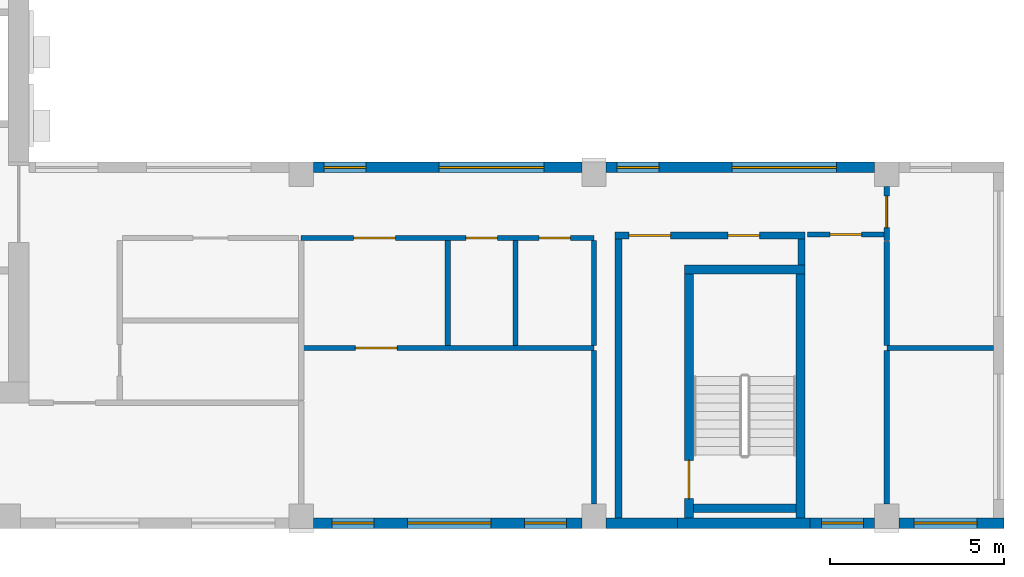
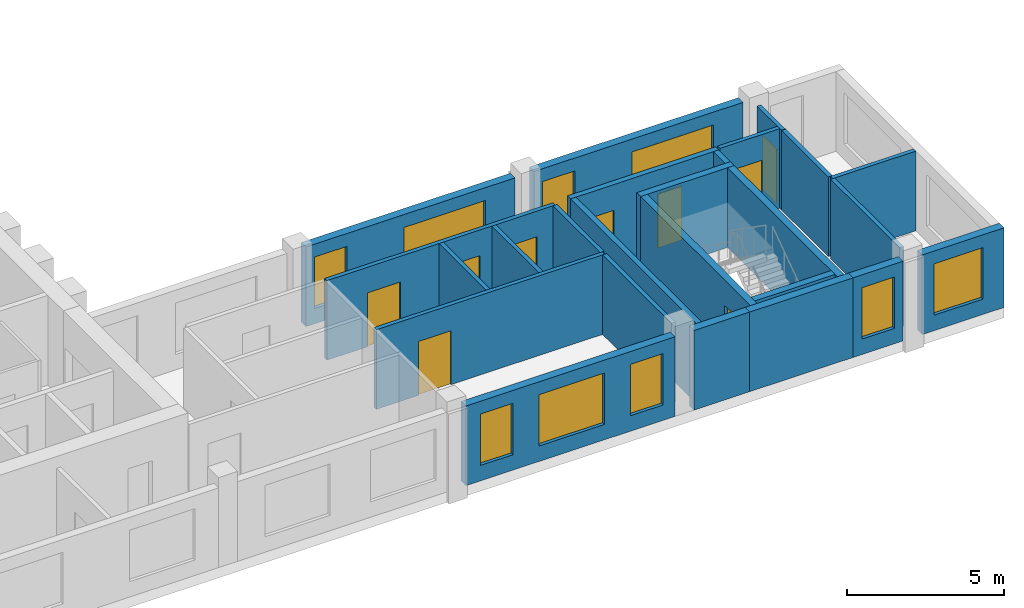
# One storey, part 4 of 9: 25 walls, 9 doors, 9 windows, 18 openings.
"""IFC4 building model written with IfcOpenShell, lengths in metres."""

from ifc_helpers import new_model, si_unit, direction, frame, frame_2d, origin, place, context, subcontext, project, spatial, rectangle, extrude, source, transform, mapped, material, layer, layer_set, type_object, element, fill, save


model = new_model("IFC4")

# Units and contexts
model_context = context("Model", 3, precision=1e-05, world=origin(), true_north=direction((0.0, 1.0)))
body_context = subcontext(model_context, "Body", "Model", "MODEL_VIEW")
ifc_project = project(units=[si_unit("LENGTHUNIT", "METRE"), si_unit("AREAUNIT", "SQUARE_METRE"), si_unit("VOLUMEUNIT", "CUBIC_METRE"), si_unit("PLANEANGLEUNIT", "RADIAN"), si_unit("MASSUNIT", "GRAM", prefix="KILO")], contexts=[model_context])

# Site, building, storey
site_placement = place(None, origin())
site = spatial("IfcSite", under=ifc_project, at=site_placement, CompositionType="ELEMENT")
building_placement = place(site_placement, origin())
building = spatial("IfcBuilding", under=site, at=building_placement, Name="Aurelian Terraces", CompositionType="ELEMENT")
storey_placement = place(building_placement, frame((0.0, 0.0, 323.0)))
storey = spatial("IfcBuildingStorey", under=building, at=storey_placement, Name="L75", CompositionType="ELEMENT", Elevation=323.0)

# Wall, openings, windows
ifc_material_1 = material(Name="Terracotta rainscreen cladding", Category="masonry")
ifc_layer_1 = layer(ifc_material_1, 0.3)
ifc_layer_set_1 = layer_set([ifc_layer_1], Name="EW-300")
wall_type_1 = type_object("IfcWallType", Name="EW-300", PredefinedType="STANDARD", material=ifc_layer_set_1)
shared_shape_1 = source(origin(), body_context, "Body", "SweptSolid", [
    extrude(rectangle(XDim=7.7, YDim=0.3, at=frame_2d((3.85, 0.0))), origin(), (0.0, 0.0, 1.0), 3.1),
])
wall_1_placement = place(storey_placement, frame((29.75, 0.15, 0.0), z_axis=(0.0, 0.0, 1.0), x_axis=(1.0, 0.0, 0.0)))
wall_1 = element("IfcWall", 1, at=wall_1_placement, inside=storey, type_object=wall_type_1, Name="External wall L75 F01.4", PredefinedType="STANDARD", context=body_context, shape_type="MappedRepresentation", body=[
    mapped(shared_shape_1, transform((0.0, 0.0, 0.0), scale=1.0)),
])
shared_shape_2 = source(origin(), body_context, "Body", "SweptSolid", [
    extrude(rectangle(XDim=1.2, YDim=2.0, at=frame_2d((0.6, 1.0))), frame((0.0, 0.16, 0.0), z_axis=(0.0, -1.0, 0.0), x_axis=(1.0, 0.0, 0.0)), (0.0, 0.0, 1.0), 0.32),
])
opening_1_placement = place(wall_1_placement, frame((0.5375, 0.0, 0.6)))
opening_1 = element("IfcOpeningElement", 2, at=opening_1_placement, cuts=wall_1, Name="Opening W1220", PredefinedType="OPENING", context=body_context, shape_type="MappedRepresentation", body=[
    mapped(shared_shape_2, transform((0.0, 0.0, 0.0), scale=1.0)),
])
opening_2_placement = place(wall_1_placement, frame((6.0625, 0.0, 0.6)))
opening_2 = element("IfcOpeningElement", 3, at=opening_2_placement, cuts=wall_1, Name="Opening W1220", PredefinedType="OPENING", context=body_context, shape_type="MappedRepresentation", body=[
    mapped(shared_shape_2, transform((0.0, 0.0, 0.0), scale=1.0)),
])
shared_shape_3 = source(origin(), body_context, "Body", "SweptSolid", [
    extrude(rectangle(XDim=2.4, YDim=2.0, at=frame_2d((1.2, 1.0))), frame((0.0, 0.16, 0.0), z_axis=(0.0, -1.0, 0.0), x_axis=(1.0, 0.0, 0.0)), (0.0, 0.0, 1.0), 0.32),
])
opening_3_placement = place(wall_1_placement, frame((2.7, 0.0, 0.6)))
opening_3 = element("IfcOpeningElement", 4, at=opening_3_placement, cuts=wall_1, Name="Opening W2420", PredefinedType="OPENING", context=body_context, shape_type="MappedRepresentation", body=[
    mapped(shared_shape_3, transform((0.0, 0.0, 0.0), scale=1.0)),
])
ifc_material_2 = material(Name="Clear glazing", Category="glass")
window_type_1 = type_object("IfcWindowType", Name="W-1200x2000", PartitioningType="SINGLE_PANEL", PredefinedType="WINDOW", material=ifc_material_2)
shared_shape_4 = source(origin(), body_context, "Body", "SweptSolid", [
    extrude(rectangle(XDim=1.2, YDim=2.0, at=frame_2d((0.6, 1.0))), frame((0.0, 0.03, 0.0), z_axis=(0.0, -1.0, 0.0), x_axis=(1.0, 0.0, 0.0)), (0.0, 0.0, 1.0), 0.06),
])
window_1_placement = place(opening_1_placement, origin())
window_1 = element("IfcWindow", 5, at=window_1_placement, inside=storey, type_object=window_type_1, Name="Window L75 L75-F01-04-0", OverallHeight=2.0, OverallWidth=1.2, PartitioningType="SINGLE_PANEL", PredefinedType="WINDOW", context=body_context, shape_type="MappedRepresentation", body=[
    mapped(shared_shape_4, transform((0.0, 0.0, 0.0), scale=1.0)),
])
fill(opening_1, window_1)
window_2_placement = place(opening_2_placement, origin())
window_2 = element("IfcWindow", 6, at=window_2_placement, inside=storey, type_object=window_type_1, Name="Window L75 L75-F01-04-1", OverallHeight=2.0, OverallWidth=1.2, PartitioningType="SINGLE_PANEL", PredefinedType="WINDOW", context=body_context, shape_type="MappedRepresentation", body=[
    mapped(shared_shape_4, transform((0.0, 0.0, 0.0), scale=1.0)),
])
fill(opening_2, window_2)
window_type_2 = type_object("IfcWindowType", Name="W-2400x2000", PartitioningType="SINGLE_PANEL", PredefinedType="WINDOW", material=ifc_material_2)
shared_shape_5 = source(origin(), body_context, "Body", "SweptSolid", [
    extrude(rectangle(XDim=2.4, YDim=2.0, at=frame_2d((1.2, 1.0))), frame((0.0, 0.03, 0.0), z_axis=(0.0, -1.0, 0.0), x_axis=(1.0, 0.0, 0.0)), (0.0, 0.0, 1.0), 0.06),
])
window_3_placement = place(opening_3_placement, origin())
window_3 = element("IfcWindow", 7, at=window_3_placement, inside=storey, type_object=window_type_2, Name="Window L75 L75-F01-04-G0-21", OverallHeight=2.0, OverallWidth=2.4, PartitioningType="SINGLE_PANEL", PredefinedType="WINDOW", context=body_context, shape_type="MappedRepresentation", body=[
    mapped(shared_shape_5, transform((0.0, 0.0, 0.0), scale=1.0)),
])
fill(opening_3, window_3)

wall_2_placement = place(storey_placement, frame((45.85, 10.35, 0.0), z_axis=(0.0, 0.0, 1.0), x_axis=(-1.0, 0.0, 0.0)))
wall_2 = element("IfcWall", 8, at=wall_2_placement, inside=storey, type_object=wall_type_1, Name="External wall L75 F03.8", PredefinedType="STANDARD", context=body_context, shape_type="MappedRepresentation", body=[
    mapped(shared_shape_1, transform((0.0, 0.0, 0.0), scale=1.0)),
])
shared_shape_6 = source(origin(), body_context, "Body", "SweptSolid", [
    extrude(rectangle(XDim=3.0, YDim=2.0, at=frame_2d((1.5, 1.0))), frame((0.0, 0.16, 0.0), z_axis=(0.0, -1.0, 0.0), x_axis=(1.0, 0.0, 0.0)), (0.0, 0.0, 1.0), 0.32),
])
opening_4_placement = place(wall_2_placement, frame((1.09, 0.0, 0.6)))
opening_4 = element("IfcOpeningElement", 9, at=opening_4_placement, cuts=wall_2, Name="Opening W3020", PredefinedType="OPENING", context=body_context, shape_type="MappedRepresentation", body=[
    mapped(shared_shape_6, transform((0.0, 0.0, 0.0), scale=1.0)),
])
opening_5_placement = place(wall_2_placement, frame((6.19, 0.0, 0.6)))
opening_5 = element("IfcOpeningElement", 10, at=opening_5_placement, cuts=wall_2, Name="Opening W1220", PredefinedType="OPENING", context=body_context, shape_type="MappedRepresentation", body=[
    mapped(shared_shape_2, transform((0.0, 0.0, 0.0), scale=1.0)),
])
window_type_3 = type_object("IfcWindowType", Name="W-3000x2000", PartitioningType="SINGLE_PANEL", PredefinedType="WINDOW", material=ifc_material_2)
shared_shape_7 = source(origin(), body_context, "Body", "SweptSolid", [
    extrude(rectangle(XDim=3.0, YDim=2.0, at=frame_2d((1.5, 1.0))), frame((0.0, 0.03, 0.0), z_axis=(0.0, -1.0, 0.0), x_axis=(1.0, 0.0, 0.0)), (0.0, 0.0, 1.0), 0.06),
])
window_4_placement = place(opening_4_placement, origin())
window_4 = element("IfcWindow", 11, at=window_4_placement, inside=storey, type_object=window_type_3, Name="Window L75 L75-F03-08-1", OverallHeight=2.0, OverallWidth=3.0, PartitioningType="SINGLE_PANEL", PredefinedType="WINDOW", context=body_context, shape_type="MappedRepresentation", body=[
    mapped(shared_shape_7, transform((0.0, 0.0, 0.0), scale=1.0)),
])
fill(opening_4, window_4)
window_5_placement = place(opening_5_placement, origin())
window_5 = element("IfcWindow", 12, at=window_5_placement, inside=storey, type_object=window_type_1, Name="Window L75 L75-F03-08-2", OverallHeight=2.0, OverallWidth=1.2, PartitioningType="SINGLE_PANEL", PredefinedType="WINDOW", context=body_context, shape_type="MappedRepresentation", body=[
    mapped(shared_shape_4, transform((0.0, 0.0, 0.0), scale=1.0)),
])
fill(opening_5, window_5)

wall_3_placement = place(storey_placement, frame((37.45, 10.35, 0.0), z_axis=(0.0, 0.0, 1.0), x_axis=(-1.0, 0.0, 0.0)))
wall_3 = element("IfcWall", 13, at=wall_3_placement, inside=storey, type_object=wall_type_1, Name="External wall L75 F03.8", PredefinedType="STANDARD", context=body_context, shape_type="MappedRepresentation", body=[
    mapped(shared_shape_1, transform((0.0, 0.0, 0.0), scale=1.0)),
])
opening_6_placement = place(wall_3_placement, frame((1.09, 0.0, 0.6)))
opening_6 = element("IfcOpeningElement", 14, at=opening_6_placement, cuts=wall_3, Name="Opening W3020", PredefinedType="OPENING", context=body_context, shape_type="MappedRepresentation", body=[
    mapped(shared_shape_6, transform((0.0, 0.0, 0.0), scale=1.0)),
])
opening_7_placement = place(wall_3_placement, frame((6.19, 0.0, 0.6)))
opening_7 = element("IfcOpeningElement", 15, at=opening_7_placement, cuts=wall_3, Name="Opening W1220", PredefinedType="OPENING", context=body_context, shape_type="MappedRepresentation", body=[
    mapped(shared_shape_2, transform((0.0, 0.0, 0.0), scale=1.0)),
])
window_6_placement = place(opening_6_placement, origin())
window_6 = element("IfcWindow", 16, at=window_6_placement, inside=storey, type_object=window_type_3, Name="Window L75 L75-F03-08-3", OverallHeight=2.0, OverallWidth=3.0, PartitioningType="SINGLE_PANEL", PredefinedType="WINDOW", context=body_context, shape_type="MappedRepresentation", body=[
    mapped(shared_shape_7, transform((0.0, 0.0, 0.0), scale=1.0)),
])
fill(opening_6, window_6)
window_7_placement = place(opening_7_placement, origin())
window_7 = element("IfcWindow", 17, at=window_7_placement, inside=storey, type_object=window_type_1, Name="Window L75 L75-F03-08-4", OverallHeight=2.0, OverallWidth=1.2, PartitioningType="SINGLE_PANEL", PredefinedType="WINDOW", context=body_context, shape_type="MappedRepresentation", body=[
    mapped(shared_shape_4, transform((0.0, 0.0, 0.0), scale=1.0)),
])
fill(opening_7, window_7)

# Wall, opening, window
shared_shape_8 = source(origin(), body_context, "Body", "SweptSolid", [
    extrude(rectangle(XDim=3.01, YDim=0.3, at=frame_2d((1.505, 0.0))), origin(), (0.0, 0.0, 1.0), 3.1),
])
wall_4_placement = place(storey_placement, frame((46.55, 0.15, 0.0), z_axis=(0.0, 0.0, 1.0), x_axis=(1.0, 0.0, 0.0)))
wall_4 = element("IfcWall", 18, at=wall_4_placement, inside=storey, type_object=wall_type_1, Name="External wall L75 F01.6", PredefinedType="STANDARD", context=body_context, shape_type="MappedRepresentation", body=[
    mapped(shared_shape_8, transform((0.0, 0.0, 0.0), scale=1.0)),
])
shared_shape_9 = source(origin(), body_context, "Body", "SweptSolid", [
    extrude(rectangle(XDim=1.8, YDim=2.0, at=frame_2d((0.9, 1.0))), frame((0.0, 0.16, 0.0), z_axis=(0.0, -1.0, 0.0), x_axis=(1.0, 0.0, 0.0)), (0.0, 0.0, 1.0), 0.32),
])
opening_8_placement = place(wall_4_placement, frame((0.43, 0.0, 0.6)))
opening_8 = element("IfcOpeningElement", 19, at=opening_8_placement, cuts=wall_4, Name="Opening W1820", PredefinedType="OPENING", context=body_context, shape_type="MappedRepresentation", body=[
    mapped(shared_shape_9, transform((0.0, 0.0, 0.0), scale=1.0)),
])
window_type_4 = type_object("IfcWindowType", Name="W-1800x2000", PartitioningType="SINGLE_PANEL", PredefinedType="WINDOW", material=ifc_material_2)
shared_shape_10 = source(origin(), body_context, "Body", "SweptSolid", [
    extrude(rectangle(XDim=1.8, YDim=2.0, at=frame_2d((0.9, 1.0))), frame((0.0, 0.03, 0.0), z_axis=(0.0, -1.0, 0.0), x_axis=(1.0, 0.0, 0.0)), (0.0, 0.0, 1.0), 0.06),
])
window_8_placement = place(opening_8_placement, origin())
window_8 = element("IfcWindow", 20, at=window_8_placement, inside=storey, type_object=window_type_4, Name="Window L75 L75-F01-06-0", OverallHeight=2.0, OverallWidth=1.8, PartitioningType="SINGLE_PANEL", PredefinedType="WINDOW", context=body_context, shape_type="MappedRepresentation", body=[
    mapped(shared_shape_10, transform((0.0, 0.0, 0.0), scale=1.0)),
])
fill(opening_8, window_8)

# Walls
shared_shape_11 = source(origin(), body_context, "Body", "SweptSolid", [
    extrude(rectangle(XDim=2.05, YDim=0.3, at=frame_2d((1.025, 0.0))), origin(), (0.0, 0.0, 1.0), 3.1),
])
wall_5_placement = place(storey_placement, frame((38.15, 0.15, 0.0), z_axis=(0.0, 0.0, 1.0), x_axis=(1.0, 0.0, 0.0)))
element("IfcWall", 21, at=wall_5_placement, inside=storey, type_object=wall_type_1, Name="External wall L75 F01.5", PredefinedType="STANDARD", context=body_context, shape_type="MappedRepresentation", body=[
    mapped(shared_shape_11, transform((0.0, 0.0, 0.0), scale=1.0)),
])
ifc_material_3 = material(Name="Concrete fc' 40 MPa", Category="concrete")
ifc_layer_2 = layer(ifc_material_3, 0.3)
ifc_layer_set_2 = layer_set([ifc_layer_2], Name="STAIR BAY WALL 300")
wall_type_2 = type_object("IfcWallType", Name="STAIR BAY WALL 300", PredefinedType="SOLIDWALL", material=ifc_layer_set_2)
shared_shape_12 = source(origin(), body_context, "Body", "SweptSolid", [
    extrude(rectangle(XDim=3.8, YDim=0.3, at=frame_2d((1.9, 0.0))), origin(), (0.0, 0.0, 1.0), 3.1),
])
wall_6_placement = place(storey_placement, frame((40.2, 0.15, 0.0), z_axis=(0.0, 0.0, 1.0), x_axis=(1.0, 0.0, 0.0)))
element("IfcWall", 22, at=wall_6_placement, inside=storey, type_object=wall_type_2, Name="Stair bay wall L75 F01.5", PredefinedType="SOLIDWALL", context=body_context, shape_type="MappedRepresentation", body=[
    mapped(shared_shape_12, transform((0.0, 0.0, 0.0), scale=1.0)),
])

# Wall, opening, window
shared_shape_13 = source(origin(), body_context, "Body", "SweptSolid", [
    extrude(rectangle(XDim=1.85, YDim=0.3, at=frame_2d((0.925, 0.0))), origin(), (0.0, 0.0, 1.0), 3.1),
])
wall_7_placement = place(storey_placement, frame((44.0, 0.15, 0.0), z_axis=(0.0, 0.0, 1.0), x_axis=(1.0, 0.0, 0.0)))
wall_7 = element("IfcWall", 23, at=wall_7_placement, inside=storey, type_object=wall_type_1, Name="External wall L75 F01.5", PredefinedType="STANDARD", context=body_context, shape_type="MappedRepresentation", body=[
    mapped(shared_shape_13, transform((0.0, 0.0, 0.0), scale=1.0)),
])
opening_9_placement = place(wall_7_placement, frame((0.325, 0.0, 0.6)))
opening_9 = element("IfcOpeningElement", 24, at=opening_9_placement, cuts=wall_7, Name="Opening W1220", PredefinedType="OPENING", context=body_context, shape_type="MappedRepresentation", body=[
    mapped(shared_shape_2, transform((0.0, 0.0, 0.0), scale=1.0)),
])
window_9_placement = place(opening_9_placement, origin())
window_9 = element("IfcWindow", 25, at=window_9_placement, inside=storey, type_object=window_type_1, Name="Window L75 L75-F01-05-P2", OverallHeight=2.0, OverallWidth=1.2, PartitioningType="SINGLE_PANEL", PredefinedType="WINDOW", context=body_context, shape_type="MappedRepresentation", body=[
    mapped(shared_shape_4, transform((0.0, 0.0, 0.0), scale=1.0)),
])
fill(opening_9, window_9)

# Wall, opening, door
ifc_layer_3 = layer(ifc_material_3, 0.25)
ifc_layer_set_3 = layer_set([ifc_layer_3], Name="Stair enclosure wall 250")
wall_type_3 = type_object("IfcWallType", Name="Stair enclosure wall 250", PredefinedType="SOLIDWALL", material=ifc_layer_set_3)
shared_shape_14 = source(origin(), body_context, "Body", "SweptSolid", [
    extrude(rectangle(XDim=7.0, YDim=0.25, at=frame_2d((3.5, 0.0))), origin(), (0.0, 0.0, 1.0), 3.1),
])
wall_8_placement = place(storey_placement, frame((40.525, 0.3, 0.0), z_axis=(0.0, 0.0, 1.0), x_axis=(0.0, 1.0, 0.0)))
wall_8 = element("IfcWall", 26, at=wall_8_placement, inside=storey, type_object=wall_type_3, Name="L75 core wall ST-S2-W", PredefinedType="SOLIDWALL", context=body_context, shape_type="MappedRepresentation", body=[
    mapped(shared_shape_14, transform((0.0, 0.0, 0.0), scale=1.0)),
])
shared_shape_15 = source(origin(), body_context, "Body", "SweptSolid", [
    extrude(rectangle(XDim=1.1, YDim=2.1, at=frame_2d((0.55, 1.05))), frame((0.0, 0.135, 0.0), z_axis=(0.0, -1.0, 0.0), x_axis=(1.0, 0.0, 0.0)), (0.0, 0.0, 1.0), 0.27),
])
opening_10_placement = place(wall_8_placement, frame((0.55, 0.0, 0.0)))
opening_10 = element("IfcOpeningElement", 27, at=opening_10_placement, cuts=wall_8, Name="Opening 67824", PredefinedType="OPENING", context=body_context, shape_type="MappedRepresentation", body=[
    mapped(shared_shape_15, transform((0.0, 0.0, 0.0), scale=1.0)),
])
ifc_material_4 = material(Name="Steel door leaf", Category="steel")
door_type_1 = type_object("IfcDoorType", Name="Core fire door 1100x2100", OperationType="SINGLE_SWING_LEFT", PredefinedType="DOOR", material=ifc_material_4)
shared_shape_16 = source(origin(), body_context, "Body", "SweptSolid", [
    extrude(rectangle(XDim=1.1, YDim=2.1, at=frame_2d((0.55, 1.05))), frame((0.0, 0.025, 0.0), z_axis=(0.0, -1.0, 0.0), x_axis=(1.0, 0.0, 0.0)), (0.0, 0.0, 1.0), 0.05),
])
door_1_placement = place(opening_10_placement, origin())
door_1 = element("IfcDoor", 28, at=door_1_placement, inside=storey, type_object=door_type_1, Name="Stair door 67824", OperationType="SINGLE_SWING_LEFT", OverallHeight=2.1, OverallWidth=1.1, PredefinedType="DOOR", context=body_context, shape_type="MappedRepresentation", body=[
    mapped(shared_shape_16, transform((0.0, 0.0, 0.0), scale=1.0)),
])
fill(opening_10, door_1)

# Walls
wall_9_placement = place(storey_placement, frame((43.725, 0.3, 0.0), z_axis=(0.0, 0.0, 1.0), x_axis=(0.0, 1.0, 0.0)))
element("IfcWall", 29, at=wall_9_placement, inside=storey, type_object=wall_type_3, Name="L75 core wall ST-S2-E", PredefinedType="SOLIDWALL", context=body_context, shape_type="MappedRepresentation", body=[
    mapped(shared_shape_14, transform((0.0, 0.0, 0.0), scale=1.0)),
])
shared_shape_17 = source(origin(), body_context, "Body", "SweptSolid", [
    extrude(rectangle(XDim=3.45, YDim=0.25, at=frame_2d((1.725, 0.0))), origin(), (0.0, 0.0, 1.0), 3.1),
])
wall_10_placement = place(storey_placement, frame((40.4, 7.425, 0.0), z_axis=(0.0, 0.0, 1.0), x_axis=(1.0, 0.0, 0.0)))
element("IfcWall", 30, at=wall_10_placement, inside=storey, type_object=wall_type_3, Name="L75 core wall ST-S2-N", PredefinedType="SOLIDWALL", context=body_context, shape_type="MappedRepresentation", body=[
    mapped(shared_shape_17, transform((0.0, 0.0, 0.0), scale=1.0)),
])
ifc_material_5 = material(Name="Gypsum board on steel studs", Category="steel")
ifc_layer_4 = layer(ifc_material_5, 0.2)
ifc_layer_set_4 = layer_set([ifc_layer_4], Name="Core partition 200")
wall_type_4 = type_object("IfcWallType", Name="Core partition 200", PredefinedType="PARTITIONING", material=ifc_layer_set_4)
shared_shape_18 = source(origin(), body_context, "Body", "SweptSolid", [
    extrude(rectangle(XDim=8.0, YDim=0.2, at=frame_2d((4.0, 0.0))), origin(), (0.0, 0.0, 1.0), 3.1),
])
wall_11_placement = place(storey_placement, frame((38.5, 0.3, 0.0), z_axis=(0.0, 0.0, 1.0), x_axis=(0.0, 1.0, 0.0)))
element("IfcWall", 31, at=wall_11_placement, inside=storey, type_object=wall_type_4, Name="L75 core wall ST-S2-VW", PredefinedType="PARTITIONING", context=body_context, shape_type="MappedRepresentation", body=[
    mapped(shared_shape_18, transform((0.0, 0.0, 0.0), scale=1.0)),
])

# Wall, openings, doors
shared_shape_19 = source(origin(), body_context, "Body", "SweptSolid", [
    extrude(rectangle(XDim=5.45, YDim=0.2, at=frame_2d((2.725, 0.0))), origin(), (0.0, 0.0, 1.0), 3.1),
])
wall_12_placement = place(storey_placement, frame((38.4, 8.4, 0.0), z_axis=(0.0, 0.0, 1.0), x_axis=(1.0, 0.0, 0.0)))
wall_12 = element("IfcWall", 32, at=wall_12_placement, inside=storey, type_object=wall_type_4, Name="L75 core wall ST-S2-BN", PredefinedType="PARTITIONING", context=body_context, shape_type="MappedRepresentation", body=[
    mapped(shared_shape_19, transform((0.0, 0.0, 0.0), scale=1.0)),
])
shared_shape_20 = source(origin(), body_context, "Body", "SweptSolid", [
    extrude(rectangle(XDim=1.2, YDim=2.1, at=frame_2d((0.6, 1.05))), frame((0.0, 0.11, 0.0), z_axis=(0.0, -1.0, 0.0), x_axis=(1.0, 0.0, 0.0)), (0.0, 0.0, 1.0), 0.22),
])
opening_11_placement = place(wall_12_placement, frame((0.4, 0.0, 0.0)))
opening_11 = element("IfcOpeningElement", 33, at=opening_11_placement, cuts=wall_12, Name="Opening 67825", PredefinedType="OPENING", context=body_context, shape_type="MappedRepresentation", body=[
    mapped(shared_shape_20, transform((0.0, 0.0, 0.0), scale=1.0)),
])
shared_shape_21 = source(origin(), body_context, "Body", "SweptSolid", [
    extrude(rectangle(XDim=0.9, YDim=2.1, at=frame_2d((0.45, 1.05))), frame((0.0, 0.11, 0.0), z_axis=(0.0, -1.0, 0.0), x_axis=(1.0, 0.0, 0.0)), (0.0, 0.0, 1.0), 0.22),
])
opening_12_placement = place(wall_12_placement, frame((3.25, 0.0, 0.0)))
opening_12 = element("IfcOpeningElement", 34, at=opening_12_placement, cuts=wall_12, Name="Opening 67826", PredefinedType="OPENING", context=body_context, shape_type="MappedRepresentation", body=[
    mapped(shared_shape_21, transform((0.0, 0.0, 0.0), scale=1.0)),
])
door_type_2 = type_object("IfcDoorType", Name="Core riser door 900x2100", OperationType="SINGLE_SWING_LEFT", PredefinedType="DOOR", material=ifc_material_4)
shared_shape_22 = source(origin(), body_context, "Body", "SweptSolid", [
    extrude(rectangle(XDim=0.9, YDim=2.1, at=frame_2d((0.45, 1.05))), frame((0.0, 0.025, 0.0), z_axis=(0.0, -1.0, 0.0), x_axis=(1.0, 0.0, 0.0)), (0.0, 0.0, 1.0), 0.05),
])
door_2_placement = place(opening_12_placement, origin())
door_2 = element("IfcDoor", 35, at=door_2_placement, inside=storey, type_object=door_type_2, Name="Riser door 67826", OperationType="SINGLE_SWING_LEFT", OverallHeight=2.1, OverallWidth=0.9, PredefinedType="DOOR", context=body_context, shape_type="MappedRepresentation", body=[
    mapped(shared_shape_22, transform((0.0, 0.0, 0.0), scale=1.0)),
])
fill(opening_12, door_2)
door_type_3 = type_object("IfcDoorType", Name="Core fire door 1200x2100 right", OperationType="SINGLE_SWING_RIGHT", PredefinedType="DOOR", material=ifc_material_4)
shared_shape_23 = source(origin(), body_context, "Body", "SweptSolid", [
    extrude(rectangle(XDim=1.2, YDim=2.1, at=frame_2d((0.6, 1.05))), frame((0.0, 0.025, 0.0), z_axis=(0.0, -1.0, 0.0), x_axis=(1.0, 0.0, 0.0)), (0.0, 0.0, 1.0), 0.05),
])
door_3_placement = place(opening_11_placement, origin())
door_3 = element("IfcDoor", 36, at=door_3_placement, inside=storey, type_object=door_type_3, Name="Vestibule door 67825", OperationType="SINGLE_SWING_RIGHT", OverallHeight=2.1, OverallWidth=1.2, PredefinedType="DOOR", context=body_context, shape_type="MappedRepresentation", body=[
    mapped(shared_shape_23, transform((0.0, 0.0, 0.0), scale=1.0)),
])
fill(opening_11, door_3)

# Walls
shared_shape_24 = source(origin(), body_context, "Body", "SweptSolid", [
    extrude(rectangle(XDim=0.75, YDim=0.2, at=frame_2d((0.375, 0.0))), origin(), (0.0, 0.0, 1.0), 3.1),
])
wall_13_placement = place(storey_placement, frame((43.75, 7.55, 0.0), z_axis=(0.0, 0.0, 1.0), x_axis=(0.0, 1.0, 0.0)))
element("IfcWall", 37, at=wall_13_placement, inside=storey, type_object=wall_type_4, Name="L75 core wall ST-S2-RE", PredefinedType="PARTITIONING", context=body_context, shape_type="MappedRepresentation", body=[
    mapped(shared_shape_24, transform((0.0, 0.0, 0.0), scale=1.0)),
])
shared_shape_25 = source(origin(), body_context, "Body", "SweptSolid", [
    extrude(rectangle(XDim=2.95, YDim=0.25, at=frame_2d((1.475, 0.0))), origin(), (0.0, 0.0, 1.0), 3.1),
])
wall_14_placement = place(storey_placement, frame((40.65, 0.575, 0.0), z_axis=(0.0, 0.0, 1.0), x_axis=(1.0, 0.0, 0.0)))
element("IfcWall", 38, at=wall_14_placement, inside=storey, type_object=wall_type_3, Name="L75 core wall ST-S2-SS", PredefinedType="SOLIDWALL", context=body_context, shape_type="MappedRepresentation", body=[
    mapped(shared_shape_25, transform((0.0, 0.0, 0.0), scale=1.0)),
])

# Wall, opening, door
ifc_layer_5 = layer(ifc_material_5, 0.15)
ifc_layer_set_5 = layer_set([ifc_layer_5], Name="Partition 150")
wall_type_5 = type_object("IfcWallType", Name="Partition 150", PredefinedType="PARTITIONING", material=ifc_layer_set_5)
shared_shape_26 = source(origin(), body_context, "Body", "SweptSolid", [
    extrude(rectangle(XDim=8.4, YDim=0.15, at=frame_2d((4.2, 0.0))), origin(), (0.0, 0.0, 1.0), 3.1),
])
wall_15_placement = place(storey_placement, frame((37.8, 5.175, 0.0), z_axis=(0.0, 0.0, 1.0), x_axis=(-1.0, 0.0, 0.0)))
wall_15 = element("IfcWall", 39, at=wall_15_placement, inside=storey, type_object=wall_type_5, Name="Partition", PredefinedType="PARTITIONING", context=body_context, shape_type="MappedRepresentation", body=[
    mapped(shared_shape_26, transform((0.0, 0.0, 0.0), scale=1.0)),
])
shared_shape_27 = source(origin(), body_context, "Body", "SweptSolid", [
    extrude(rectangle(XDim=1.2, YDim=2.1, at=frame_2d((0.6, 1.05))), frame((0.0, 0.085, 0.0), z_axis=(0.0, -1.0, 0.0), x_axis=(1.0, 0.0, 0.0)), (0.0, 0.0, 1.0), 0.17),
])
opening_13_placement = place(wall_15_placement, frame((5.6476, 0.0, 0.0)))
opening_13 = element("IfcOpeningElement", 40, at=opening_13_placement, cuts=wall_15, Name="Opening 775008", PredefinedType="OPENING", context=body_context, shape_type="MappedRepresentation", body=[
    mapped(shared_shape_27, transform((0.0, 0.0, 0.0), scale=1.0)),
])
ifc_material_6 = material(Name="Timber door leaf", Category="wood")
door_type_4 = type_object("IfcDoorType", Name="Room door 1200x2100 left", OperationType="SINGLE_SWING_LEFT", PredefinedType="DOOR", material=ifc_material_6)
door_4_placement = place(opening_13_placement, origin())
door_4 = element("IfcDoor", 41, at=door_4_placement, inside=storey, type_object=door_type_4, Name="Door 775008", OperationType="SINGLE_SWING_LEFT", OverallHeight=2.1, OverallWidth=1.2, PredefinedType="DOOR", context=body_context, shape_type="MappedRepresentation", body=[
    mapped(shared_shape_23, transform((0.0, 0.0, 0.0), scale=1.0)),
])
fill(opening_13, door_4)

# Wall, openings, doors
ifc_layer_6 = layer(ifc_material_5, 0.15)
ifc_layer_set_6 = layer_set([ifc_layer_6], Name="Fire partition 150")
wall_type_6 = type_object("IfcWallType", Name="Fire partition 150", PredefinedType="PARTITIONING", material=ifc_layer_set_6)
wall_16_placement = place(storey_placement, frame((37.8, 8.325, 0.0), z_axis=(0.0, 0.0, 1.0), x_axis=(-1.0, 0.0, 0.0)))
wall_16 = element("IfcWall", 42, at=wall_16_placement, inside=storey, type_object=wall_type_6, Name="Corridor wall", PredefinedType="PARTITIONING", context=body_context, shape_type="MappedRepresentation", body=[
    mapped(shared_shape_26, transform((0.0, 0.0, 0.0), scale=1.0)),
])
opening_14_placement = place(wall_16_placement, frame((5.6976, 0.0, 0.0)))
opening_14 = element("IfcOpeningElement", 43, at=opening_14_placement, cuts=wall_16, Name="Opening 775007", PredefinedType="OPENING", context=body_context, shape_type="MappedRepresentation", body=[
    mapped(shared_shape_27, transform((0.0, 0.0, 0.0), scale=1.0)),
])
shared_shape_28 = source(origin(), body_context, "Body", "SweptSolid", [
    extrude(rectangle(XDim=0.9, YDim=2.1, at=frame_2d((0.45, 1.05))), frame((0.0, 0.085, 0.0), z_axis=(0.0, -1.0, 0.0), x_axis=(1.0, 0.0, 0.0)), (0.0, 0.0, 1.0), 0.17),
])
opening_15_placement = place(wall_16_placement, frame((2.7734, 0.0, 0.0)))
opening_15 = element("IfcOpeningElement", 44, at=opening_15_placement, cuts=wall_16, Name="Opening 775009", PredefinedType="OPENING", context=body_context, shape_type="MappedRepresentation", body=[
    mapped(shared_shape_28, transform((0.0, 0.0, 0.0), scale=1.0)),
])
opening_16_placement = place(wall_16_placement, frame((0.6758, 0.0, 0.0)))
opening_16 = element("IfcOpeningElement", 45, at=opening_16_placement, cuts=wall_16, Name="Opening 775010", PredefinedType="OPENING", context=body_context, shape_type="MappedRepresentation", body=[
    mapped(shared_shape_28, transform((0.0, 0.0, 0.0), scale=1.0)),
])
door_type_5 = type_object("IfcDoorType", Name="Entrance fire door 900x2100 right", OperationType="SINGLE_SWING_RIGHT", PredefinedType="DOOR", material=ifc_material_4)
door_5_placement = place(opening_15_placement, origin())
door_5 = element("IfcDoor", 46, at=door_5_placement, inside=storey, type_object=door_type_5, Name="Door 775009", OperationType="SINGLE_SWING_RIGHT", OverallHeight=2.1, OverallWidth=0.9, PredefinedType="DOOR", context=body_context, shape_type="MappedRepresentation", body=[
    mapped(shared_shape_22, transform((0.0, 0.0, 0.0), scale=1.0)),
])
fill(opening_15, door_5)
door_type_6 = type_object("IfcDoorType", Name="Entrance fire door 900x2100 left", OperationType="SINGLE_SWING_LEFT", PredefinedType="DOOR", material=ifc_material_4)
door_6_placement = place(opening_16_placement, origin())
door_6 = element("IfcDoor", 47, at=door_6_placement, inside=storey, type_object=door_type_6, Name="Door 775010", OperationType="SINGLE_SWING_LEFT", OverallHeight=2.1, OverallWidth=0.9, PredefinedType="DOOR", context=body_context, shape_type="MappedRepresentation", body=[
    mapped(shared_shape_22, transform((0.0, 0.0, 0.0), scale=1.0)),
])
fill(opening_16, door_6)
door_type_7 = type_object("IfcDoorType", Name="Entrance fire door 1200x2100 right", OperationType="SINGLE_SWING_RIGHT", PredefinedType="DOOR", material=ifc_material_4)
door_7_placement = place(opening_14_placement, origin())
door_7 = element("IfcDoor", 48, at=door_7_placement, inside=storey, type_object=door_type_7, Name="Door 775007", OperationType="SINGLE_SWING_RIGHT", OverallHeight=2.1, OverallWidth=1.2, PredefinedType="DOOR", context=body_context, shape_type="MappedRepresentation", body=[
    mapped(shared_shape_23, transform((0.0, 0.0, 0.0), scale=1.0)),
])
fill(opening_14, door_7)

# Wall
shared_shape_29 = source(origin(), body_context, "Body", "SweptSolid", [
    extrude(rectangle(XDim=3.06, YDim=0.15, at=frame_2d((1.53, 0.0))), origin(), (0.0, 0.0, 1.0), 3.1),
])
wall_17_placement = place(storey_placement, frame((49.26, 5.175, 0.0), z_axis=(0.0, 0.0, 1.0), x_axis=(-1.0, 0.0, 0.0)))
element("IfcWall", 49, at=wall_17_placement, inside=storey, type_object=wall_type_5, Name="Partition", PredefinedType="PARTITIONING", context=body_context, shape_type="MappedRepresentation", body=[
    mapped(shared_shape_29, transform((0.0, 0.0, 0.0), scale=1.0)),
])

# Wall, opening, door
shared_shape_30 = source(origin(), body_context, "Body", "SweptSolid", [
    extrude(rectangle(XDim=2.2, YDim=0.15, at=frame_2d((1.1, 0.0))), origin(), (0.0, 0.0, 1.0), 3.1),
])
wall_18_placement = place(storey_placement, frame((46.125, 8.425, 0.0), z_axis=(0.0, 0.0, 1.0), x_axis=(-1.0, 0.0, 0.0)))
wall_18 = element("IfcWall", 50, at=wall_18_placement, inside=storey, type_object=wall_type_5, Name="Partition", PredefinedType="PARTITIONING", context=body_context, shape_type="MappedRepresentation", body=[
    mapped(shared_shape_30, transform((0.0, 0.0, 0.0), scale=1.0)),
])
opening_17_placement = place(wall_18_placement, frame((0.65, 0.0, 0.0)))
opening_17 = element("IfcOpeningElement", 51, at=opening_17_placement, cuts=wall_18, Name="Opening 775006", PredefinedType="OPENING", context=body_context, shape_type="MappedRepresentation", body=[
    mapped(shared_shape_28, transform((0.0, 0.0, 0.0), scale=1.0)),
])
door_type_8 = type_object("IfcDoorType", Name="Room door 900x2100 left", OperationType="SINGLE_SWING_LEFT", PredefinedType="DOOR", material=ifc_material_6)
door_8_placement = place(opening_17_placement, origin())
door_8 = element("IfcDoor", 52, at=door_8_placement, inside=storey, type_object=door_type_8, Name="Door 775006", OperationType="SINGLE_SWING_LEFT", OverallHeight=2.1, OverallWidth=0.9, PredefinedType="DOOR", context=body_context, shape_type="MappedRepresentation", body=[
    mapped(shared_shape_22, transform((0.0, 0.0, 0.0), scale=1.0)),
])
fill(opening_17, door_8)

shared_shape_31 = source(origin(), body_context, "Body", "SweptSolid", [
    extrude(rectangle(XDim=1.551, YDim=0.15, at=frame_2d((0.7755, 0.0))), origin(), (0.0, 0.0, 1.0), 3.1),
])
wall_19_placement = place(storey_placement, frame((46.2, 9.801, 0.0), z_axis=(0.0, 0.0, 1.0), x_axis=(0.0, -1.0, 0.0)))
wall_19 = element("IfcWall", 53, at=wall_19_placement, inside=storey, type_object=wall_type_5, Name="Partition", PredefinedType="PARTITIONING", context=body_context, shape_type="MappedRepresentation", body=[
    mapped(shared_shape_31, transform((0.0, 0.0, 0.0), scale=1.0)),
])
opening_18_placement = place(wall_19_placement, frame((0.275, 0.0, 0.0)))
opening_18 = element("IfcOpeningElement", 54, at=opening_18_placement, cuts=wall_19, Name="Opening 775011", PredefinedType="OPENING", context=body_context, shape_type="MappedRepresentation", body=[
    mapped(shared_shape_28, transform((0.0, 0.0, 0.0), scale=1.0)),
])
door_9_placement = place(opening_18_placement, origin())
door_9 = element("IfcDoor", 55, at=door_9_placement, inside=storey, type_object=door_type_8, Name="Door 775011", OperationType="SINGLE_SWING_LEFT", OverallHeight=2.1, OverallWidth=0.9, PredefinedType="DOOR", context=body_context, shape_type="MappedRepresentation", body=[
    mapped(shared_shape_22, transform((0.0, 0.0, 0.0), scale=1.0)),
])
fill(opening_18, door_9)

# Walls
shared_shape_32 = source(origin(), body_context, "Body", "SweptSolid", [
    extrude(rectangle(XDim=3.0, YDim=0.15, at=frame_2d((1.5, 0.0))), origin(), (0.0, 0.0, 1.0), 3.1),
])
for number, where, z_axis, x_axis, name in (
    (56, (33.6049, 5.25, 0.0), (0.0, 0.0, 1.0), (0.0, 1.0, 0.0), "Partition"),
    (57, (35.5483, 5.25, 0.0), (0.0, 0.0, 1.0), (0.0, 1.0, 0.0), "Partition"),
):
    element("IfcWall", number, at=place(storey_placement, frame(where, z_axis=z_axis, x_axis=x_axis)), inside=storey, type_object=wall_type_5, Name=name, PredefinedType="PARTITIONING", context=body_context, shape_type="MappedRepresentation", body=[
        mapped(shared_shape_32, transform((0.0, 0.0, 0.0), scale=1.0)),
    ])
wall_20_placement = place(storey_placement, frame((37.8, 5.25, 0.0), z_axis=(0.0, 0.0, 1.0), x_axis=(0.0, 1.0, 0.0)))
element("IfcWall", 58, at=wall_20_placement, inside=storey, type_object=wall_type_6, Name="Party wall", PredefinedType="PARTITIONING", context=body_context, shape_type="MappedRepresentation", body=[
    mapped(shared_shape_32, transform((0.0, 0.0, 0.0), scale=1.0)),
])
shared_shape_33 = source(origin(), body_context, "Body", "SweptSolid", [
    extrude(rectangle(XDim=4.401, YDim=0.15, at=frame_2d((2.2005, 0.0))), origin(), (0.0, 0.0, 1.0), 3.1),
])
for number, where, z_axis, x_axis, name in (
    (59, (37.8, 0.699, 0.0), (0.0, 0.0, 1.0), (0.0, 1.0, 0.0), "Party wall"),
    (60, (46.2, 0.699, 0.0), (0.0, 0.0, 1.0), (0.0, 1.0, 0.0), "Party wall"),
):
    element("IfcWall", number, at=place(storey_placement, frame(where, z_axis=z_axis, x_axis=x_axis)), inside=storey, type_object=wall_type_6, Name=name, PredefinedType="PARTITIONING", context=body_context, shape_type="MappedRepresentation", body=[
        mapped(shared_shape_33, transform((0.0, 0.0, 0.0), scale=1.0)),
    ])
shared_shape_34 = source(origin(), body_context, "Body", "SweptSolid", [
    extrude(rectangle(XDim=2.98, YDim=0.15, at=frame_2d((1.49, 0.0))), origin(), (0.0, 0.0, 1.0), 3.1),
])
wall_21_placement = place(storey_placement, frame((46.2, 5.25, 0.0), z_axis=(0.0, 0.0, 1.0), x_axis=(0.0, 1.0, 0.0)))
element("IfcWall", 61, at=wall_21_placement, inside=storey, type_object=wall_type_6, Name="Party wall", PredefinedType="PARTITIONING", context=body_context, shape_type="MappedRepresentation", body=[
    mapped(shared_shape_34, transform((0.0, 0.0, 0.0), scale=1.0)),
])

save(model, "model.ifc")
